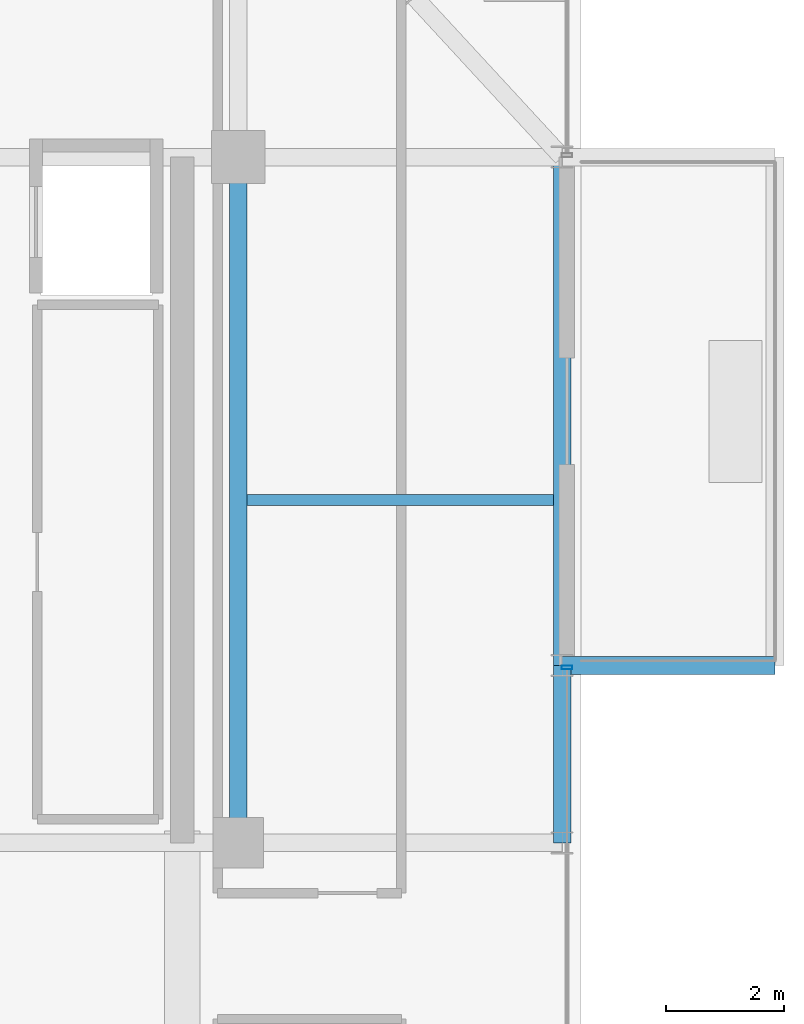
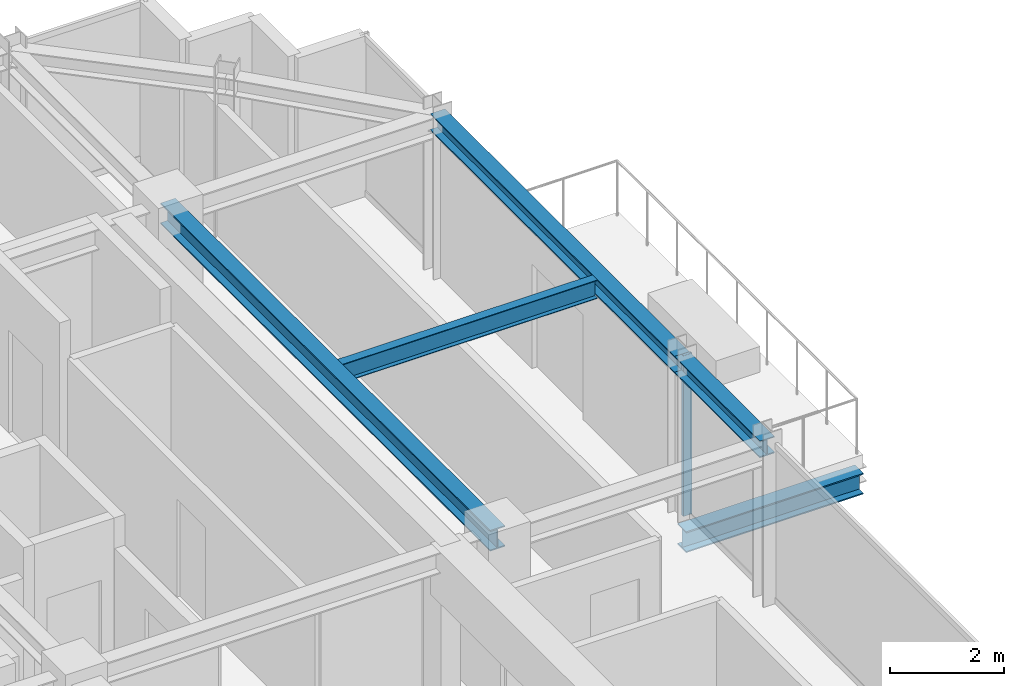
# One storey, part 22 of 32: 5 beams, 1 member, 1 element without a shape of its own.
"""IFC4 building model written with IfcOpenShell, lengths in metres."""

from ifc_helpers import new_model, si_unit, direction, frame, origin, origin_2d, place, context, subcontext, project, spatial, hollow_rectangle, i_section, extrude, source, transform, mapped, material, material_profile, profile_set, type_object, element, aggregate, save


model = new_model("IFC4")

# Units and contexts
model_context = context("Model", 3, precision=1e-05, world=origin(), true_north=direction((0.0, 1.0)))
body_context = subcontext(model_context, "Body", "Model", "MODEL_VIEW")
ifc_project = project(units=[si_unit("LENGTHUNIT", "METRE"), si_unit("AREAUNIT", "SQUARE_METRE"), si_unit("VOLUMEUNIT", "CUBIC_METRE"), si_unit("PLANEANGLEUNIT", "RADIAN"), si_unit("MASSUNIT", "GRAM", prefix="KILO")], contexts=[model_context])

# Site, building, storey
site_placement = place(None, origin())
site = spatial("IfcSite", under=ifc_project, at=site_placement, CompositionType="ELEMENT")
building_placement = place(site_placement, origin())
building = spatial("IfcBuilding", under=site, at=building_placement, Name="Nahalor Promenade Grand Hotel", CompositionType="ELEMENT")
storey_placement = place(building_placement, frame((0.0, 0.0, 285.050048828125)))
storey = spatial("IfcBuildingStorey", under=building, at=storey_placement, Name="L73", CompositionType="ELEMENT", Elevation=285.050048828125)

# Beams
ifc_material_1 = material(Name="Steel S355JR", Category="steel")
ifc_material_profile_1 = material_profile(ifc_material_1, i_section(OverallWidth=0.3, OverallDepth=0.45, WebThickness=0.014, FlangeThickness=0.026, at=origin_2d()), Name="HEB 450")
ifc_profile_set_1 = profile_set([ifc_material_profile_1], Name="Steel S355JR")
beam_type_1 = type_object("IfcBeamType", Name="Beam-Outrigger-HEB450", PredefinedType="BEAM", material=ifc_profile_set_1)
shared_shape_1 = source(origin(), body_context, "Body", "SweptSolid", [
    extrude(i_section(OverallWidth=0.3, OverallDepth=0.45, WebThickness=0.014, FlangeThickness=0.026, at=origin_2d()), origin(), (0.0, 0.0, 1.0), 3.60009765625),
])
beam_1_placement = place(storey_placement, frame((22.47998046875, 8.39990234375, -0.505126953125), z_axis=(1.0, 0.0, 0.0), x_axis=(0.0, 1.0, 0.0)))
element("IfcBeam", 1, at=beam_1_placement, inside=storey, type_object=beam_type_1, Name="BM-L73-BC-02-1", PredefinedType="BEAM", context=body_context, shape_type="MappedRepresentation", body=[
    mapped(shared_shape_1, transform((0.0, 0.0, 0.0), scale=1.0)),
])
ifc_material_profile_2 = material_profile(ifc_material_1, i_section(OverallWidth=0.3, OverallDepth=0.45, WebThickness=0.014, FlangeThickness=0.026, at=origin_2d()), Name="HEB 450")
ifc_profile_set_2 = profile_set([ifc_material_profile_2], Name="Steel S355JR")
beam_type_2 = type_object("IfcBeamType", Name="Beam-Girder-HEB450", PredefinedType="BEAM", material=ifc_profile_set_2)
shared_shape_2 = source(origin(), body_context, "Body", "SweptSolid", [
    extrude(i_section(OverallWidth=0.3, OverallDepth=0.45, WebThickness=0.014, FlangeThickness=0.026, at=origin_2d()), origin(), (0.0, 0.0, 1.0), 11.60009765625),
])
beam_2_placement = place(storey_placement, frame((17.0, 5.39990234375, 3.224853515625), z_axis=(0.0, 1.0, 0.0), x_axis=(-1.0, 0.0, 0.0)))
element("IfcBeam", 2, at=beam_2_placement, inside=storey, type_object=beam_type_2, Name="BM-L73-GY-5-3", PredefinedType="BEAM", context=body_context, shape_type="MappedRepresentation", body=[
    mapped(shared_shape_2, transform((0.0, 0.0, 0.0), scale=1.0)),
])
ifc_material_profile_3 = material_profile(ifc_material_1, i_section(OverallWidth=0.18, OverallDepth=0.4, WebThickness=0.0086, FlangeThickness=0.0135, at=origin_2d()), Name="IPE 400")
ifc_profile_set_3 = profile_set([ifc_material_profile_3], Name="Steel S355JR")
beam_type_3 = type_object("IfcBeamType", Name="Beam-Joist-IPE400", PredefinedType="JOIST", material=ifc_profile_set_3)
shared_shape_3 = source(origin(), body_context, "Body", "SweptSolid", [
    extrude(i_section(OverallWidth=0.18, OverallDepth=0.4, WebThickness=0.0086, FlangeThickness=0.0135, at=origin_2d()), origin(), (0.0, 0.0, 1.0), 5.18017578125),
])
beam_3_placement = place(storey_placement, frame((17.14990234375, 11.199951171875, 3.25), z_axis=(1.0, 0.0, 0.0), x_axis=(0.0, 1.0, 0.0)))
element("IfcBeam", 3, at=beam_3_placement, inside=storey, type_object=beam_type_3, Name="BM-L73-JSE-1-2", PredefinedType="JOIST", context=body_context, shape_type="MappedRepresentation", body=[
    mapped(shared_shape_3, transform((0.0, 0.0, 0.0), scale=1.0)),
])
ifc_material_profile_4 = material_profile(ifc_material_1, i_section(OverallWidth=0.3, OverallDepth=0.36, WebThickness=0.0125, FlangeThickness=0.0225, at=origin_2d()), Name="HEB 360")
ifc_profile_set_4 = profile_set([ifc_material_profile_4], Name="Steel S355JR")
beam_type_4 = type_object("IfcBeamType", Name="Beam-Spandrel-HEB360", PredefinedType="SPANDREL", material=ifc_profile_set_4)
shared_shape_4 = source(origin(), body_context, "Body", "SweptSolid", [
    extrude(i_section(OverallWidth=0.3, OverallDepth=0.36, WebThickness=0.0125, FlangeThickness=0.0225, at=origin_2d()), origin(), (0.0, 0.0, 1.0), 8.60009765625),
])
beam_4_placement = place(storey_placement, frame((22.47998046875, 8.39990234375, 3.27001953125), z_axis=(0.0, 1.0, 0.0), x_axis=(-1.0, 0.0, 0.0)))
element("IfcBeam", 4, at=beam_4_placement, inside=storey, type_object=beam_type_4, Name="BM-L73-SP-E-4", PredefinedType="SPANDREL", context=body_context, shape_type="MappedRepresentation", body=[
    mapped(shared_shape_4, transform((0.0, 0.0, 0.0), scale=1.0)),
])
shared_shape_5 = source(origin(), body_context, "Body", "SweptSolid", [
    extrude(i_section(OverallWidth=0.3, OverallDepth=0.36, WebThickness=0.0125, FlangeThickness=0.0225, at=origin_2d()), origin(), (0.0, 0.0, 1.0), 3.0),
])
beam_5_placement = place(storey_placement, frame((22.47998046875, 5.39990234375, 3.27001953125), z_axis=(0.0, 1.0, 0.0), x_axis=(-1.0, 0.0, 0.0)))
element("IfcBeam", 5, at=beam_5_placement, inside=storey, type_object=beam_type_4, Name="BM-L73-SP-E-3", PredefinedType="SPANDREL", context=body_context, shape_type="MappedRepresentation", body=[
    mapped(shared_shape_5, transform((0.0, 0.0, 0.0), scale=1.0)),
])

# Curtain wall, member
ifc_material_2 = material(Name="Anodised Bronze Aluminium EN AW-6063 T6", Category="aluminium")
curtain_wall_type = type_object("IfcCurtainWallType", Name="CW2 Typical Hotel Flush Bronze Unitised Curtain Wall", PredefinedType="USERDEFINED", material=ifc_material_2)
curtain_wall_placement = place(storey_placement, origin())
curtain_wall = element("IfcCurtainWall", 6, at=curtain_wall_placement, inside=storey, type_object=curtain_wall_type, Name="L73 Curtain Wall CW-L73-E-1", ObjectType="UNITISED_CURTAIN_WALL", PredefinedType="USERDEFINED")
ifc_material_profile_5 = material_profile(ifc_material_2, hollow_rectangle(XDim=0.065, YDim=0.18, WallThickness=0.004, at=origin_2d()), Name="CWM 65x180x4")
ifc_profile_set_5 = profile_set([ifc_material_profile_5], Name="Anodised Bronze Aluminium EN AW-6063 T6")
member_type = type_object("IfcMemberType", Name="CWM2 Typical Bronze Mullion 65x180", PredefinedType="MULLION", material=ifc_profile_set_5)
shared_shape_6 = source(origin(), body_context, "Body", "SweptSolid", [
    extrude(hollow_rectangle(XDim=0.065, YDim=0.18, WallThickness=0.004, at=origin_2d()), origin(), (0.0, 0.0, 1.0), 3.449951171875),
])
member_placement = place(storey_placement, frame((22.56005859375, 8.367431640625, 0.0), z_axis=(0.0, 0.0, 1.0), x_axis=(0.0, 1.0, 0.0)))
member = element("IfcMember", 7, at=member_placement, type_object=member_type, Name="CW-L73-E-1 Mullion 2", PredefinedType="MULLION", context=body_context, shape_type="MappedRepresentation", body=[
    mapped(shared_shape_6, transform((0.0, 0.0, 0.0), scale=1.0)),
])
aggregate(curtain_wall, [member])

save(model, "model.ifc")
